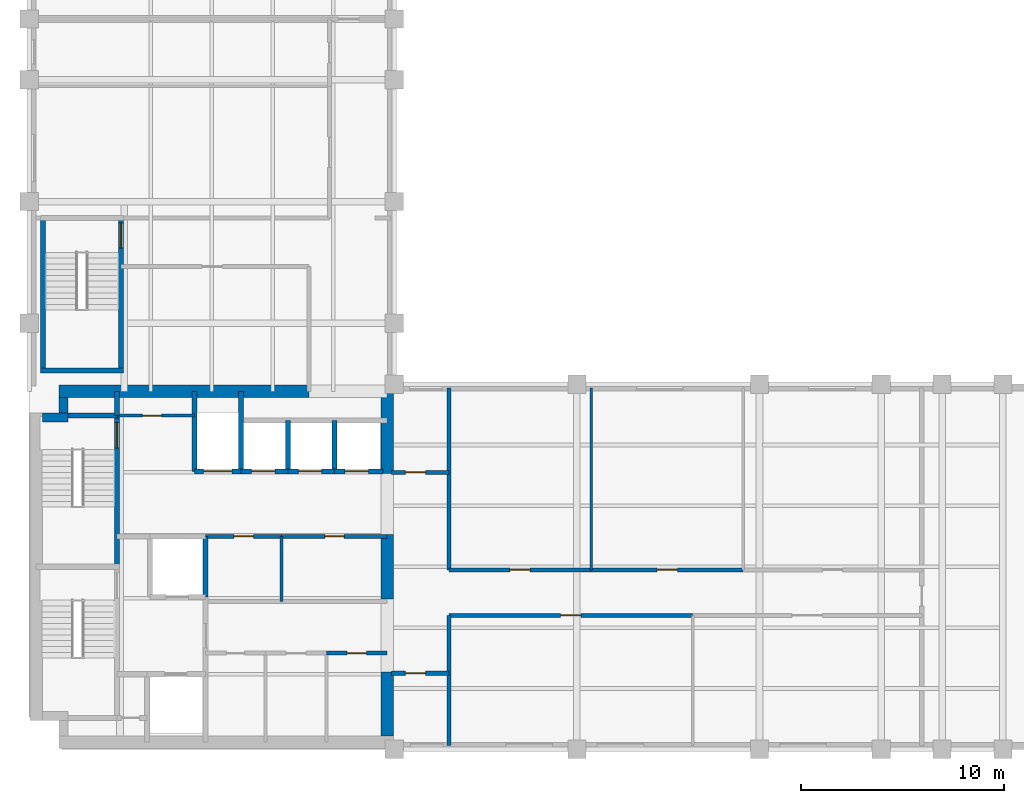
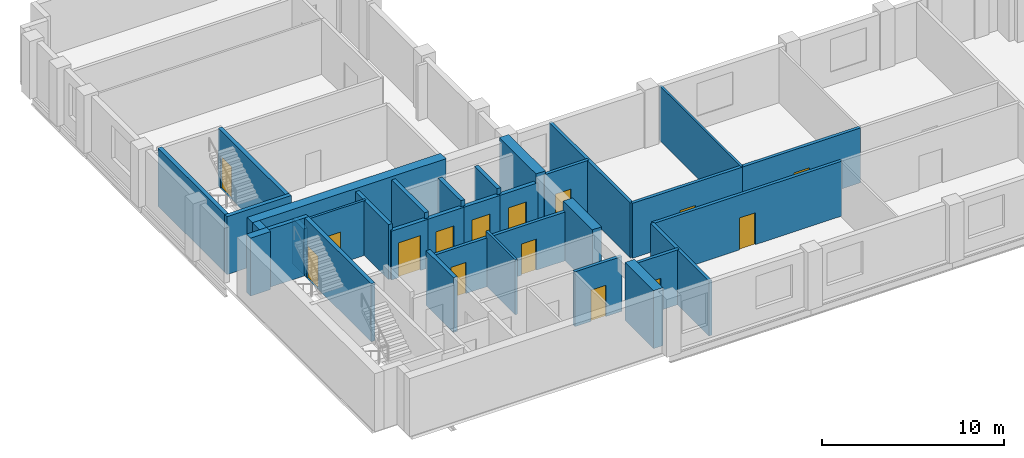
# One storey, part 3 of 6: 34 walls, 15 doors, 15 openings.
"""IFC4 building model written with IfcOpenShell, lengths in metres."""

from ifc_helpers import new_model, si_unit, direction, frame, frame_2d, origin, place, context, subcontext, project, spatial, rectangle, extrude, material, layer, layer_set, type_object, element, fill, save


model = new_model("IFC4")

# Units and contexts
model_context = context("Model", 3, precision=1e-05, world=origin(), true_north=direction((0.0, 1.0)))
body_context = subcontext(model_context, "Body", "Model", "MODEL_VIEW")
ifc_project = project(units=[si_unit("LENGTHUNIT", "METRE"), si_unit("AREAUNIT", "SQUARE_METRE"), si_unit("VOLUMEUNIT", "CUBIC_METRE"), si_unit("PLANEANGLEUNIT", "RADIAN"), si_unit("MASSUNIT", "GRAM", prefix="KILO")], contexts=[model_context])

# Site, building, storey
site_placement = place(None, origin())
site = spatial("IfcSite", under=ifc_project, at=site_placement, CompositionType="ELEMENT")
building_placement = place(site_placement, origin())
building = spatial("IfcBuilding", under=site, at=building_placement, Name="Mawjdan Bourse Tower", CompositionType="ELEMENT")
storey_placement = place(building_placement, frame((0.0, 0.0, 176.10009765625)))
storey = spatial("IfcBuildingStorey", under=building, at=storey_placement, Name="L42", CompositionType="ELEMENT", Elevation=176.10009765625)

# Wall, opening, door
ifc_material_1 = material(Name="Gypsum Fireboard Assembly")
ifc_layer_1 = layer(ifc_material_1, 0.199951171875)
ifc_layer_set_1 = layer_set([ifc_layer_1], Name="Gypsum Fireboard Assembly")
wall_type_1 = type_object("IfcWallType", Name="WL-CMP-200", PredefinedType="PARTITIONING", material=ifc_layer_set_1)
wall_1_placement = place(storey_placement, frame((20.64990234375, 7.739990234375, 0.0), z_axis=(0.0, 0.0, 1.0), x_axis=(1.0, 0.0, 0.0)))
wall_1 = element("IfcWall", 1, at=wall_1_placement, inside=storey, type_object=wall_type_1, Name="L42 Staff Refreshment Pantry North Wall", PredefinedType="PARTITIONING", context=body_context, shape_type="SweptSolid", body=[
    extrude(rectangle(XDim=3.0, YDim=0.199951171875, at=frame_2d((1.5, 0.0))), origin(), (0.0, 0.0, 1.0), 3.68994140625),
])
opening_1_placement = place(wall_1_placement, frame((1.02490234375, 0.0, 0.0)))
opening_1 = element("IfcOpeningElement", 2, at=opening_1_placement, cuts=wall_1, Name="Opening D-L42-15", PredefinedType="OPENING", context=body_context, shape_type="SweptSolid", body=[
    extrude(rectangle(XDim=0.949951171875, YDim=2.10009765625, at=frame_2d((0.47509765625, 1.050048828125))), frame((0.0, 0.10986328125, 0.0), z_axis=(0.0, -1.0, 0.0), x_axis=(1.0, 0.0, 0.0)), (0.0, 0.0, 1.0), 0.219970703125),
])
ifc_material_2 = material(Name="Moisture-Resistant Laminate Timber", Category="wood")
door_type_1 = type_object("IfcDoorType", Name="DR-WET-0950", OperationType="NOTDEFINED", PredefinedType="DOOR", material=ifc_material_2)
door_1_placement = place(opening_1_placement, origin())
door_1 = element("IfcDoor", 3, at=door_1_placement, inside=storey, type_object=door_type_1, Name="L42 Staff Refreshment Pantry Door D-L42-15", OperationType="SINGLE_SWING_LEFT", OverallHeight=2.10009765625, OverallWidth=0.949951171875, PredefinedType="DOOR", context=body_context, shape_type="SweptSolid", body=[
    extrude(rectangle(XDim=0.949951171875, YDim=2.10009765625, at=frame_2d((0.47509765625, 1.050048828125))), frame((0.0, 0.02490234375, 0.0), z_axis=(0.0, -1.0, 0.0), x_axis=(1.0, 0.0, 0.0)), (0.0, 0.0, 1.0), 0.050048828125),
])
fill(opening_1, door_1)

wall_2_placement = place(storey_placement, frame((14.699951171875, 13.5, 0.0), z_axis=(0.0, 0.0, 1.0), x_axis=(1.0, 0.0, 0.0)))
wall_2 = element("IfcWall", 4, at=wall_2_placement, inside=storey, type_object=wall_type_1, Name="L42 Female Restroom North Wall", PredefinedType="PARTITIONING", context=body_context, shape_type="SweptSolid", body=[
    extrude(rectangle(XDim=3.75, YDim=0.199951171875, at=frame_2d((1.875, 0.0))), origin(), (0.0, 0.0, 1.0), 3.282958984375),
])
opening_2_placement = place(wall_2_placement, frame((1.39990234375, 0.0, 0.0)))
opening_2 = element("IfcOpeningElement", 5, at=opening_2_placement, cuts=wall_2, Name="Opening D-L42-16", PredefinedType="OPENING", context=body_context, shape_type="SweptSolid", body=[
    extrude(rectangle(XDim=0.949951171875, YDim=2.10009765625, at=frame_2d((0.47509765625, 1.050048828125))), frame((0.0, 0.10986328125, 0.0), z_axis=(0.0, -1.0, 0.0), x_axis=(1.0, 0.0, 0.0)), (0.0, 0.0, 1.0), 0.219970703125),
])
door_2_placement = place(opening_2_placement, origin())
door_2 = element("IfcDoor", 6, at=door_2_placement, inside=storey, type_object=door_type_1, Name="L42 Female Restroom Door D-L42-16", OperationType="SINGLE_SWING_RIGHT", OverallHeight=2.10009765625, OverallWidth=0.949951171875, PredefinedType="DOOR", context=body_context, shape_type="SweptSolid", body=[
    extrude(rectangle(XDim=0.949951171875, YDim=2.10009765625, at=frame_2d((0.47509765625, 1.050048828125))), frame((0.0, 0.02490234375, 0.0), z_axis=(0.0, -1.0, 0.0), x_axis=(1.0, 0.0, 0.0)), (0.0, 0.0, 1.0), 0.050048828125),
])
fill(opening_2, door_2)

wall_3_placement = place(storey_placement, frame((18.449951171875, 13.5, 0.0), z_axis=(0.0, 0.0, 1.0), x_axis=(1.0, 0.0, 0.0)))
wall_3 = element("IfcWall", 7, at=wall_3_placement, inside=storey, type_object=wall_type_1, Name="L42 Accessible WC North Wall", PredefinedType="PARTITIONING", context=body_context, shape_type="SweptSolid", body=[
    extrude(rectangle(XDim=5.199951171875, YDim=0.199951171875, at=frame_2d((2.60009765625, 0.0))), origin(), (0.0, 0.0, 1.0), 3.282958984375),
])
opening_3_placement = place(wall_3_placement, frame((2.125, 0.0, 0.0)))
opening_3 = element("IfcOpeningElement", 8, at=opening_3_placement, cuts=wall_3, Name="Opening D-L42-17", PredefinedType="OPENING", context=body_context, shape_type="SweptSolid", body=[
    extrude(rectangle(XDim=0.949951171875, YDim=2.10009765625, at=frame_2d((0.47509765625, 1.050048828125))), frame((0.0, 0.10986328125, 0.0), z_axis=(0.0, -1.0, 0.0), x_axis=(1.0, 0.0, 0.0)), (0.0, 0.0, 1.0), 0.219970703125),
])
door_3_placement = place(opening_3_placement, origin())
door_3 = element("IfcDoor", 9, at=door_3_placement, inside=storey, type_object=door_type_1, Name="L42 Accessible WC Door D-L42-17", OperationType="SINGLE_SWING_LEFT", OverallHeight=2.10009765625, OverallWidth=0.949951171875, PredefinedType="DOOR", context=body_context, shape_type="SweptSolid", body=[
    extrude(rectangle(XDim=0.949951171875, YDim=2.10009765625, at=frame_2d((0.47509765625, 1.050048828125))), frame((0.0, 0.02490234375, 0.0), z_axis=(0.0, -1.0, 0.0), x_axis=(1.0, 0.0, 0.0)), (0.0, 0.0, 1.0), 0.050048828125),
])
fill(opening_3, door_3)

wall_4_placement = place(storey_placement, frame((23.85009765625, 6.75, 0.0), z_axis=(0.0, 0.0, 1.0), x_axis=(1.0, 0.0, 0.0)))
wall_4 = element("IfcWall", 10, at=wall_4_placement, inside=storey, type_object=wall_type_1, Name="L42 West Pocket North Wall", PredefinedType="PARTITIONING", context=body_context, shape_type="SweptSolid", body=[
    extrude(rectangle(XDim=2.849853515625, YDim=0.199951171875, at=frame_2d((1.4248046875, 0.0))), origin(), (0.0, 0.0, 1.0), 3.68994140625),
])
opening_4_placement = place(wall_4_placement, frame((0.699951171875, 0.0, 0.0)))
opening_4 = element("IfcOpeningElement", 11, at=opening_4_placement, cuts=wall_4, Name="Opening D-L42-20", PredefinedType="OPENING", context=body_context, shape_type="SweptSolid", body=[
    extrude(rectangle(XDim=1.0, YDim=2.14990234375, at=frame_2d((0.5, 1.074951171875))), frame((0.0, 0.10986328125, 0.0), z_axis=(0.0, -1.0, 0.0), x_axis=(1.0, 0.0, 0.0)), (0.0, 0.0, 1.0), 0.219970703125),
])
ifc_material_3 = material(Name="Hardwood Acoustic Leaf", Category="wood")
door_type_2 = type_object("IfcDoorType", Name="DR-OFC-1000", OperationType="NOTDEFINED", PredefinedType="DOOR", material=ifc_material_3)
door_4_placement = place(opening_4_placement, origin())
door_4 = element("IfcDoor", 12, at=door_4_placement, inside=storey, type_object=door_type_2, Name="L42 West Pocket Office Door D-L42-20", OperationType="SINGLE_SWING_RIGHT", OverallHeight=2.14990234375, OverallWidth=1.0, PredefinedType="DOOR", context=body_context, shape_type="SweptSolid", body=[
    extrude(rectangle(XDim=1.0, YDim=2.14990234375, at=frame_2d((0.5, 1.074951171875))), frame((0.0, 0.02490234375, 0.0), z_axis=(0.0, -1.0, 0.0), x_axis=(1.0, 0.0, 0.0)), (0.0, 0.0, 1.0), 0.050048828125),
])
fill(opening_4, door_4)

wall_5_placement = place(storey_placement, frame((23.85009765625, 16.64990234375, 0.0), z_axis=(0.0, 0.0, 1.0), x_axis=(1.0, 0.0, 0.0)))
wall_5 = element("IfcWall", 13, at=wall_5_placement, inside=storey, type_object=wall_type_1, Name="L42 West North Pocket Wall", PredefinedType="PARTITIONING", context=body_context, shape_type="SweptSolid", body=[
    extrude(rectangle(XDim=2.849853515625, YDim=0.199951171875, at=frame_2d((1.4248046875, 0.0))), origin(), (0.0, 0.0, 1.0), 3.68994140625),
])
opening_5_placement = place(wall_5_placement, frame((0.699951171875, 0.0, 0.0)))
opening_5 = element("IfcOpeningElement", 14, at=opening_5_placement, cuts=wall_5, Name="Opening D-L42-21", PredefinedType="OPENING", context=body_context, shape_type="SweptSolid", body=[
    extrude(rectangle(XDim=1.0, YDim=2.14990234375, at=frame_2d((0.5, 1.074951171875))), frame((0.0, 0.10986328125, 0.0), z_axis=(0.0, -1.0, 0.0), x_axis=(1.0, 0.0, 0.0)), (0.0, 0.0, 1.0), 0.219970703125),
])
door_5_placement = place(opening_5_placement, origin())
door_5 = element("IfcDoor", 15, at=door_5_placement, inside=storey, type_object=door_type_2, Name="L42 West North Pocket Door D-L42-21", OperationType="SINGLE_SWING_LEFT", OverallHeight=2.14990234375, OverallWidth=1.0, PredefinedType="DOOR", context=body_context, shape_type="SweptSolid", body=[
    extrude(rectangle(XDim=1.0, YDim=2.14990234375, at=frame_2d((0.5, 1.074951171875))), frame((0.0, 0.02490234375, 0.0), z_axis=(0.0, -1.0, 0.0), x_axis=(1.0, 0.0, 0.0)), (0.0, 0.0, 1.0), 0.050048828125),
])
fill(opening_5, door_5)

# Walls
wall_6_placement = place(storey_placement, frame((26.699951171875, 3.179931640625, 0.0), z_axis=(0.0, 0.0, 1.0), x_axis=(0.0, 1.0, 0.0)))
element("IfcWall", 16, at=wall_6_placement, inside=storey, type_object=wall_type_1, Name="L42 Vestibule South East Wall", PredefinedType="PARTITIONING", context=body_context, shape_type="SweptSolid", body=[
    extrude(rectangle(XDim=6.420166015625, YDim=0.199951171875, at=frame_2d((3.2099609375, 0.0))), origin(), (0.0, 0.0, 1.0), 3.68994140625),
])
wall_7_placement = place(storey_placement, frame((26.699951171875, 11.85009765625, 0.0), z_axis=(0.0, 0.0, 1.0), x_axis=(0.0, 1.0, 0.0)))
element("IfcWall", 17, at=wall_7_placement, inside=storey, type_object=wall_type_1, Name="L42 Vestibule North East Wall", PredefinedType="PARTITIONING", context=body_context, shape_type="SweptSolid", body=[
    extrude(rectangle(XDim=8.969970703125, YDim=0.199951171875, at=frame_2d((4.48486328125, 0.0))), origin(), (0.0, 0.0, 1.0), 3.68994140625),
])

# Wall, opening, door
wall_8_placement = place(storey_placement, frame((26.699951171875, 9.60009765625, 0.0), z_axis=(0.0, 0.0, 1.0), x_axis=(1.0, 0.0, 0.0)))
wall_8 = element("IfcWall", 18, at=wall_8_placement, inside=storey, type_object=wall_type_1, Name="L42 Central Clearing Suite Corridor Wall", PredefinedType="PARTITIONING", context=body_context, shape_type="SweptSolid", body=[
    extrude(rectangle(XDim=12.0, YDim=0.199951171875, at=frame_2d((6.0, 0.0))), origin(), (0.0, 0.0, 1.0), 3.68994140625),
])
opening_6_placement = place(wall_8_placement, frame((5.5, 0.0, 0.0)))
opening_6 = element("IfcOpeningElement", 19, at=opening_6_placement, cuts=wall_8, Name="Opening D-L42-22", PredefinedType="OPENING", context=body_context, shape_type="SweptSolid", body=[
    extrude(rectangle(XDim=1.0, YDim=2.14990234375, at=frame_2d((0.5, 1.074951171875))), frame((0.0, 0.10986328125, 0.0), z_axis=(0.0, -1.0, 0.0), x_axis=(1.0, 0.0, 0.0)), (0.0, 0.0, 1.0), 0.219970703125),
])
door_6_placement = place(opening_6_placement, origin())
door_6 = element("IfcDoor", 20, at=door_6_placement, inside=storey, type_object=door_type_2, Name="L42 Central Clearing Suite Door D-L42-22", OperationType="SINGLE_SWING_RIGHT", OverallHeight=2.14990234375, OverallWidth=1.0, PredefinedType="DOOR", context=body_context, shape_type="SweptSolid", body=[
    extrude(rectangle(XDim=1.0, YDim=2.14990234375, at=frame_2d((0.5, 1.074951171875))), frame((0.0, 0.02490234375, 0.0), z_axis=(0.0, -1.0, 0.0), x_axis=(1.0, 0.0, 0.0)), (0.0, 0.0, 1.0), 0.050048828125),
])
fill(opening_6, door_6)

wall_9_placement = place(storey_placement, frame((26.699951171875, 11.85009765625, 0.0), z_axis=(0.0, 0.0, 1.0), x_axis=(1.0, 0.0, 0.0)))
wall_9 = element("IfcWall", 21, at=wall_9_placement, inside=storey, type_object=wall_type_1, Name="L42 Executive Office Corridor Wall", PredefinedType="PARTITIONING", context=body_context, shape_type="SweptSolid", body=[
    extrude(rectangle(XDim=7.0, YDim=0.199951171875, at=frame_2d((3.5, 0.0))), origin(), (0.0, 0.0, 1.0), 3.68994140625),
])
opening_7_placement = place(wall_9_placement, frame((3.0, 0.0, 0.0)))
opening_7 = element("IfcOpeningElement", 22, at=opening_7_placement, cuts=wall_9, Name="Opening D-L42-24", PredefinedType="OPENING", context=body_context, shape_type="SweptSolid", body=[
    extrude(rectangle(XDim=1.0, YDim=2.14990234375, at=frame_2d((0.5, 1.074951171875))), frame((0.0, 0.10986328125, 0.0), z_axis=(0.0, -1.0, 0.0), x_axis=(1.0, 0.0, 0.0)), (0.0, 0.0, 1.0), 0.219970703125),
])
door_7_placement = place(opening_7_placement, origin())
door_7 = element("IfcDoor", 23, at=door_7_placement, inside=storey, type_object=door_type_2, Name="L42 Executive Office Door D-L42-24", OperationType="SINGLE_SWING_LEFT", OverallHeight=2.14990234375, OverallWidth=1.0, PredefinedType="DOOR", context=body_context, shape_type="SweptSolid", body=[
    extrude(rectangle(XDim=1.0, YDim=2.14990234375, at=frame_2d((0.5, 1.074951171875))), frame((0.0, 0.02490234375, 0.0), z_axis=(0.0, -1.0, 0.0), x_axis=(1.0, 0.0, 0.0)), (0.0, 0.0, 1.0), 0.050048828125),
])
fill(opening_7, door_7)

wall_10_placement = place(storey_placement, frame((33.699951171875, 11.85009765625, 0.0), z_axis=(0.0, 0.0, 1.0), x_axis=(1.0, 0.0, 0.0)))
wall_10 = element("IfcWall", 24, at=wall_10_placement, inside=storey, type_object=wall_type_1, Name="L42 Settlement Risk Office Corridor Wall", PredefinedType="PARTITIONING", context=body_context, shape_type="SweptSolid", body=[
    extrude(rectangle(XDim=7.5, YDim=0.199951171875, at=frame_2d((3.75, 0.0))), origin(), (0.0, 0.0, 1.0), 3.68994140625),
])
opening_8_placement = place(wall_10_placement, frame((3.25, 0.0, 0.0)))
opening_8 = element("IfcOpeningElement", 25, at=opening_8_placement, cuts=wall_10, Name="Opening D-L42-25", PredefinedType="OPENING", context=body_context, shape_type="SweptSolid", body=[
    extrude(rectangle(XDim=1.0, YDim=2.14990234375, at=frame_2d((0.5, 1.074951171875))), frame((0.0, 0.10986328125, 0.0), z_axis=(0.0, -1.0, 0.0), x_axis=(1.0, 0.0, 0.0)), (0.0, 0.0, 1.0), 0.219970703125),
])
door_8_placement = place(opening_8_placement, origin())
door_8 = element("IfcDoor", 26, at=door_8_placement, inside=storey, type_object=door_type_2, Name="L42 Settlement Risk Office Door D-L42-25", OperationType="SINGLE_SWING_RIGHT", OverallHeight=2.14990234375, OverallWidth=1.0, PredefinedType="DOOR", context=body_context, shape_type="SweptSolid", body=[
    extrude(rectangle(XDim=1.0, YDim=2.14990234375, at=frame_2d((0.5, 1.074951171875))), frame((0.0, 0.02490234375, 0.0), z_axis=(0.0, -1.0, 0.0), x_axis=(1.0, 0.0, 0.0)), (0.0, 0.0, 1.0), 0.050048828125),
])
fill(opening_8, door_8)

# Walls
ifc_material_4 = material(Name="Concrete C60/75", Category="concrete")
ifc_layer_2 = layer(ifc_material_4, 0.449951171875)
ifc_layer_set_2 = layer_set([ifc_layer_2], Name="Concrete C60/75")
wall_type_2 = type_object("IfcWallType", Name="WL-CORE-450", PredefinedType="SHEAR", material=ifc_layer_set_2)
wall_11_placement = place(storey_placement, frame((6.64990234375, 19.35009765625, 0.0), z_axis=(0.0, 0.0, 1.0), x_axis=(1.0, 0.0, 0.0)))
element("IfcWall", 27, at=wall_11_placement, inside=storey, type_object=wall_type_2, Name="L42 Rear Core Shear Wall NW-X", PredefinedType="SHEAR", context=body_context, shape_type="SweptSolid", body=[
    extrude(rectangle(XDim=1.275146484375, YDim=0.449951171875, at=frame_2d((0.6376953125, 0.0))), origin(), (0.0, 0.0, 1.0), 3.89990234375),
])
wall_12_placement = place(storey_placement, frame((7.699951171875, 19.574951171875, 0.0), z_axis=(0.0, 0.0, 1.0), x_axis=(0.0, 1.0, 0.0)))
element("IfcWall", 28, at=wall_12_placement, inside=storey, type_object=wall_type_2, Name="L42 Rear Core Shear Wall NW-Y", PredefinedType="SHEAR", context=body_context, shape_type="SweptSolid", body=[
    extrude(rectangle(XDim=0.775146484375, YDim=0.449951171875, at=frame_2d((0.3876953125, 0.0))), origin(), (0.0, 0.0, 1.0), 3.89990234375),
])
ifc_material_5 = material(Name="Concrete C70/85", Category="concrete")
ifc_layer_3 = layer(ifc_material_5, 0.60009765625)
ifc_layer_set_3 = layer_set([ifc_layer_3], Name="Concrete C70/85")
wall_type_3 = type_object("IfcWallType", Name="WL-CORE-600", PredefinedType="SHEAR", material=ifc_layer_set_3)
wall_13_placement = place(storey_placement, frame((7.47509765625, 20.64990234375, 0.0), z_axis=(0.0, 0.0, 1.0), x_axis=(1.0, 0.0, 0.0)))
element("IfcWall", 29, at=wall_13_placement, inside=storey, type_object=wall_type_3, Name="L42 Rear Core Shear Wall N", PredefinedType="SHEAR", context=body_context, shape_type="SweptSolid", body=[
    extrude(rectangle(XDim=12.324951171875, YDim=0.60009765625, at=frame_2d((6.16259765625, 0.0))), origin(), (0.0, 0.0, 1.0), 3.89990234375),
])
wall_14_placement = place(storey_placement, frame((23.64990234375, 3.64990234375, 0.0), z_axis=(0.0, 0.0, 1.0), x_axis=(0.0, 1.0, 0.0)))
element("IfcWall", 30, at=wall_14_placement, inside=storey, type_object=wall_type_3, Name="L42 Rear Core Shear Wall E1", PredefinedType="SHEAR", context=body_context, shape_type="SweptSolid", body=[
    extrude(rectangle(XDim=3.150146484375, YDim=0.60009765625, at=frame_2d((1.5751953125, 0.0))), origin(), (0.0, 0.0, 1.0), 3.89990234375),
])
wall_15_placement = place(storey_placement, frame((23.64990234375, 10.39990234375, 0.0), z_axis=(0.0, 0.0, 1.0), x_axis=(0.0, 1.0, 0.0)))
element("IfcWall", 31, at=wall_15_placement, inside=storey, type_object=wall_type_3, Name="L42 Rear Core Shear Wall E2", PredefinedType="SHEAR", context=body_context, shape_type="SweptSolid", body=[
    extrude(rectangle(XDim=3.2001953125, YDim=0.60009765625, at=frame_2d((1.60009765625, 0.0))), origin(), (0.0, 0.0, 1.0), 3.89990234375),
])
wall_16_placement = place(storey_placement, frame((23.64990234375, 16.60009765625, 0.0), z_axis=(0.0, 0.0, 1.0), x_axis=(0.0, 1.0, 0.0)))
element("IfcWall", 32, at=wall_16_placement, inside=storey, type_object=wall_type_3, Name="L42 Rear Core Shear Wall E3", PredefinedType="SHEAR", context=body_context, shape_type="SweptSolid", body=[
    extrude(rectangle(XDim=4.0498046875, YDim=0.60009765625, at=frame_2d((2.02490234375, 0.0))), origin(), (0.0, 0.0, 1.0), 3.89990234375),
])
ifc_material_6 = material(Name="Gypsum Partition")
ifc_layer_4 = layer(ifc_material_6, 0.125)
ifc_layer_set_4 = layer_set([ifc_layer_4], Name="Gypsum Partition")
wall_type_4 = type_object("IfcWallType", Name="WL-PRT-125", PredefinedType="PARTITIONING", material=ifc_layer_set_4)
wall_17_placement = place(storey_placement, frame((33.699951171875, 11.85009765625, 0.0), z_axis=(0.0, 0.0, 1.0), x_axis=(0.0, 1.0, 0.0)))
element("IfcWall", 33, at=wall_17_placement, inside=storey, type_object=wall_type_4, Name="L42 Settlement Risk Office Partition", PredefinedType="PARTITIONING", context=body_context, shape_type="SweptSolid", body=[
    extrude(rectangle(XDim=8.969970703125, YDim=0.125, at=frame_2d((4.48486328125, 0.0))), origin(), (0.0, 0.0, 1.0), 3.68994140625),
])
ifc_material_7 = material(Name="Gypsum Acoustic Partition")
ifc_layer_5 = layer(ifc_material_7, 0.14990234375)
ifc_layer_set_5 = layer_set([ifc_layer_5], Name="Gypsum Acoustic Partition")
wall_type_5 = type_object("IfcWallType", Name="WL-PRT-150", PredefinedType="PARTITIONING", material=ifc_layer_set_5)
wall_18_placement = place(storey_placement, frame((18.449951171875, 10.280029296875, 0.0), z_axis=(0.0, 0.0, 1.0), x_axis=(0.0, 1.0, 0.0)))
element("IfcWall", 34, at=wall_18_placement, inside=storey, type_object=wall_type_5, Name="L42 Accessible WC Split Wall", PredefinedType="PARTITIONING", context=body_context, shape_type="SweptSolid", body=[
    extrude(rectangle(XDim=3.219970703125, YDim=0.14990234375, at=frame_2d((1.60986328125, 0.0))), origin(), (0.0, 0.0, 1.0), 3.68994140625),
])

# Wall, opening, door
wall_19_placement = place(storey_placement, frame((10.330078125, 19.449951171875, 0.0), z_axis=(0.0, 0.0, 1.0), x_axis=(1.0, 0.0, 0.0)))
wall_19 = element("IfcWall", 35, at=wall_19_placement, inside=storey, type_object=wall_type_5, Name="L42 Housekeeping South Wall", PredefinedType="PARTITIONING", context=body_context, shape_type="SweptSolid", body=[
    extrude(rectangle(XDim=3.81982421875, YDim=0.14990234375, at=frame_2d((1.909912109375, 0.0))), origin(), (0.0, 0.0, 1.0), 3.68994140625),
])
opening_9_placement = place(wall_19_placement, frame((1.25, 0.0, 0.0)))
opening_9 = element("IfcOpeningElement", 36, at=opening_9_placement, cuts=wall_19, Name="Opening D-L42-18", PredefinedType="OPENING", context=body_context, shape_type="SweptSolid", body=[
    extrude(rectangle(XDim=0.949951171875, YDim=2.10009765625, at=frame_2d((0.47509765625, 1.050048828125))), frame((0.0, 0.0849609375, 0.0), z_axis=(0.0, -1.0, 0.0), x_axis=(1.0, 0.0, 0.0)), (0.0, 0.0, 1.0), 0.169921875),
])
door_9_placement = place(opening_9_placement, origin())
door_9 = element("IfcDoor", 37, at=door_9_placement, inside=storey, type_object=door_type_1, Name="L42 Housekeeping Closet Door D-L42-18", OperationType="SINGLE_SWING_RIGHT", OverallHeight=2.10009765625, OverallWidth=0.949951171875, PredefinedType="DOOR", context=body_context, shape_type="SweptSolid", body=[
    extrude(rectangle(XDim=0.949951171875, YDim=2.10009765625, at=frame_2d((0.47509765625, 1.050048828125))), frame((0.0, 0.02490234375, 0.0), z_axis=(0.0, -1.0, 0.0), x_axis=(1.0, 0.0, 0.0)), (0.0, 0.0, 1.0), 0.050048828125),
])
fill(opening_9, door_9)

# Walls
ifc_material_8 = material(Name="Concrete C50/60", Category="concrete")
ifc_layer_6 = layer(ifc_material_8, 0.25)
ifc_layer_set_6 = layer_set([ifc_layer_6], Name="Concrete C50/60")
wall_type_6 = type_object("IfcWallType", Name="WL-SHFT-250", PredefinedType="PARTITIONING", material=ifc_layer_set_6)
wall_20_placement = place(storey_placement, frame((10.330078125, 19.449951171875, 0.0), z_axis=(0.0, 0.0, 1.0), x_axis=(0.0, 1.0, 0.0)))
element("IfcWall", 38, at=wall_20_placement, inside=storey, type_object=wall_type_6, Name="L42 NW Riser East Wall", PredefinedType="PARTITIONING", context=body_context, shape_type="SweptSolid", body=[
    extrude(rectangle(XDim=1.199951171875, YDim=0.25, at=frame_2d((0.60009765625, 0.0))), origin(), (0.0, 0.0, 1.0), 3.072998046875),
])
wall_21_placement = place(storey_placement, frame((14.699951171875, 10.5, 0.0), z_axis=(0.0, 0.0, 1.0), x_axis=(0.0, 1.0, 0.0)))
element("IfcWall", 39, at=wall_21_placement, inside=storey, type_object=wall_type_6, Name="L42 FFL-02 East Shaft Wall", PredefinedType="PARTITIONING", context=body_context, shape_type="SweptSolid", body=[
    extrude(rectangle(XDim=3.0, YDim=0.25, at=frame_2d((1.5, 0.0))), origin(), (0.0, 0.0, 1.0), 3.68994140625),
])

# Wall, opening, door
wall_22_placement = place(storey_placement, frame((14.14990234375, 16.699951171875, 0.0), z_axis=(0.0, 0.0, 1.0), x_axis=(1.0, 0.0, 0.0)))
wall_22 = element("IfcWall", 40, at=wall_22_placement, inside=storey, type_object=wall_type_6, Name="L42 SVL-01 Front Shaft Wall", PredefinedType="PARTITIONING", context=body_context, shape_type="SweptSolid", body=[
    extrude(rectangle(XDim=2.300048828125, YDim=0.25, at=frame_2d((1.14990234375, 0.0))), origin(), (0.0, 0.0, 1.0), 3.282958984375),
])
opening_10_placement = place(wall_22_placement, frame((0.449951171875, 0.0, 0.0)))
opening_10 = element("IfcOpeningElement", 41, at=opening_10_placement, cuts=wall_22, Name="Opening LD-L42-09", PredefinedType="OPENING", context=body_context, shape_type="SweptSolid", body=[
    extrude(rectangle(XDim=1.39990234375, YDim=2.35009765625, at=frame_2d((0.699951171875, 1.175048828125))), frame((0.0, 0.135009765625, 0.0), z_axis=(0.0, -1.0, 0.0), x_axis=(1.0, 0.0, 0.0)), (0.0, 0.0, 1.0), 0.27001953125),
])
ifc_material_9 = material(Name="Heavy-Duty Stainless Steel", Category="steel")
door_type_3 = type_object("IfcDoorType", Name="LD-SRV-1400", OperationType="DOUBLE_DOOR_SLIDING", PredefinedType="DOOR", material=ifc_material_9)
door_10_placement = place(opening_10_placement, origin())
door_10 = element("IfcDoor", 42, at=door_10_placement, inside=storey, type_object=door_type_3, Name="L42 Service Lift SVL-01 Landing Door LD-L42-09", OperationType="DOUBLE_DOOR_SLIDING", OverallHeight=2.35009765625, OverallWidth=1.39990234375, PredefinedType="DOOR", context=body_context, shape_type="SweptSolid", body=[
    extrude(rectangle(XDim=1.39990234375, YDim=2.35009765625, at=frame_2d((0.699951171875, 1.175048828125))), frame((0.0, 0.02490234375, 0.0), z_axis=(0.0, -1.0, 0.0), x_axis=(1.0, 0.0, 0.0)), (0.0, 0.0, 1.0), 0.050048828125),
])
fill(opening_10, door_10)

# Walls
for number, where, z_axis, x_axis, name in (
    (43, (14.14990234375, 16.699951171875, 0.0), (0.0, 0.0, 1.0), (0.0, 1.0, 0.0), "L42 SVL-01 West Shaft Wall"),
    (44, (16.449951171875, 16.699951171875, 0.0), (0.0, 0.0, 1.0), (0.0, 1.0, 0.0), "L42 SVL-01 East Shaft Wall"),
):
    element("IfcWall", number, at=place(storey_placement, frame(where, z_axis=z_axis, x_axis=x_axis)), inside=storey, type_object=wall_type_6, Name=name, PredefinedType="PARTITIONING", context=body_context, shape_type="SweptSolid", body=[
        extrude(rectangle(XDim=3.949951171875, YDim=0.25, at=frame_2d((1.97509765625, 0.0))), origin(), (0.0, 0.0, 1.0), 3.68994140625),
    ])

# Wall, opening, door
wall_23_placement = place(storey_placement, frame((16.449951171875, 16.699951171875, 0.0), z_axis=(0.0, 0.0, 1.0), x_axis=(1.0, 0.0, 0.0)))
wall_23 = element("IfcWall", 45, at=wall_23_placement, inside=storey, type_object=wall_type_6, Name="L42 PH-01 Front Wall", PredefinedType="PARTITIONING", context=body_context, shape_type="SweptSolid", body=[
    extrude(rectangle(XDim=2.300048828125, YDim=0.25, at=frame_2d((1.14990234375, 0.0))), origin(), (0.0, 0.0, 1.0), 3.282958984375),
])
opening_11_placement = place(wall_23_placement, frame((0.52001953125, 0.0, 0.0)))
opening_11 = element("IfcOpeningElement", 46, at=opening_11_placement, cuts=wall_23, Name="Opening LD-L42-10", PredefinedType="OPENING", context=body_context, shape_type="SweptSolid", body=[
    extrude(rectangle(XDim=1.14990234375, YDim=2.25, at=frame_2d((0.574951171875, 1.125))), frame((0.0, 0.135009765625, 0.0), z_axis=(0.0, -1.0, 0.0), x_axis=(1.0, 0.0, 0.0)), (0.0, 0.0, 1.0), 0.27001953125),
])
ifc_material_10 = material(Name="Brushed Stainless Steel", Category="steel")
door_type_4 = type_object("IfcDoorType", Name="LD-PAS-1150", OperationType="DOUBLE_DOOR_SLIDING", PredefinedType="DOOR", material=ifc_material_10)
door_11_placement = place(opening_11_placement, origin())
door_11 = element("IfcDoor", 47, at=door_11_placement, inside=storey, type_object=door_type_4, Name="L42 Lift PH-01 Landing Door LD-L42-10", OperationType="DOUBLE_DOOR_SLIDING", OverallHeight=2.25, OverallWidth=1.14990234375, PredefinedType="DOOR", context=body_context, shape_type="SweptSolid", body=[
    extrude(rectangle(XDim=1.14990234375, YDim=2.25, at=frame_2d((0.574951171875, 1.125))), frame((0.0, 0.02490234375, 0.0), z_axis=(0.0, -1.0, 0.0), x_axis=(1.0, 0.0, 0.0)), (0.0, 0.0, 1.0), 0.050048828125),
])
fill(opening_11, door_11)

# Wall
wall_24_placement = place(storey_placement, frame((18.75, 16.699951171875, 0.0), z_axis=(0.0, 0.0, 1.0), x_axis=(0.0, 1.0, 0.0)))
element("IfcWall", 48, at=wall_24_placement, inside=storey, type_object=wall_type_6, Name="L42 PH-01 Divider Wall", PredefinedType="PARTITIONING", context=body_context, shape_type="SweptSolid", body=[
    extrude(rectangle(XDim=2.5, YDim=0.25, at=frame_2d((1.25, 0.0))), origin(), (0.0, 0.0, 1.0), 3.68994140625),
])

# Wall, opening, door
wall_25_placement = place(storey_placement, frame((18.75, 16.699951171875, 0.0), z_axis=(0.0, 0.0, 1.0), x_axis=(1.0, 0.0, 0.0)))
wall_25 = element("IfcWall", 49, at=wall_25_placement, inside=storey, type_object=wall_type_6, Name="L42 PH-02 Front Wall", PredefinedType="PARTITIONING", context=body_context, shape_type="SweptSolid", body=[
    extrude(rectangle(XDim=2.300048828125, YDim=0.25, at=frame_2d((1.14990234375, 0.0))), origin(), (0.0, 0.0, 1.0), 3.282958984375),
])
opening_12_placement = place(wall_25_placement, frame((0.52001953125, 0.0, 0.0)))
opening_12 = element("IfcOpeningElement", 50, at=opening_12_placement, cuts=wall_25, Name="Opening LD-L42-11", PredefinedType="OPENING", context=body_context, shape_type="SweptSolid", body=[
    extrude(rectangle(XDim=1.14990234375, YDim=2.25, at=frame_2d((0.574951171875, 1.125))), frame((0.0, 0.135009765625, 0.0), z_axis=(0.0, -1.0, 0.0), x_axis=(1.0, 0.0, 0.0)), (0.0, 0.0, 1.0), 0.27001953125),
])
door_12_placement = place(opening_12_placement, origin())
door_12 = element("IfcDoor", 51, at=door_12_placement, inside=storey, type_object=door_type_4, Name="L42 Lift PH-02 Landing Door LD-L42-11", OperationType="DOUBLE_DOOR_SLIDING", OverallHeight=2.25, OverallWidth=1.14990234375, PredefinedType="DOOR", context=body_context, shape_type="SweptSolid", body=[
    extrude(rectangle(XDim=1.14990234375, YDim=2.25, at=frame_2d((0.574951171875, 1.125))), frame((0.0, 0.02490234375, 0.0), z_axis=(0.0, -1.0, 0.0), x_axis=(1.0, 0.0, 0.0)), (0.0, 0.0, 1.0), 0.050048828125),
])
fill(opening_12, door_12)

# Wall
wall_26_placement = place(storey_placement, frame((21.050048828125, 16.699951171875, 0.0), z_axis=(0.0, 0.0, 1.0), x_axis=(0.0, 1.0, 0.0)))
element("IfcWall", 52, at=wall_26_placement, inside=storey, type_object=wall_type_6, Name="L42 PH-02 Divider Wall", PredefinedType="PARTITIONING", context=body_context, shape_type="SweptSolid", body=[
    extrude(rectangle(XDim=2.5, YDim=0.25, at=frame_2d((1.25, 0.0))), origin(), (0.0, 0.0, 1.0), 3.68994140625),
])

# Wall, opening, door
wall_27_placement = place(storey_placement, frame((21.050048828125, 16.699951171875, 0.0), z_axis=(0.0, 0.0, 1.0), x_axis=(1.0, 0.0, 0.0)))
wall_27 = element("IfcWall", 53, at=wall_27_placement, inside=storey, type_object=wall_type_6, Name="L42 PH-03 Front Wall", PredefinedType="PARTITIONING", context=body_context, shape_type="SweptSolid", body=[
    extrude(rectangle(XDim=2.39990234375, YDim=0.25, at=frame_2d((1.199951171875, 0.0))), origin(), (0.0, 0.0, 1.0), 3.282958984375),
])
opening_13_placement = place(wall_27_placement, frame((0.52001953125, 0.0, 0.0)))
opening_13 = element("IfcOpeningElement", 54, at=opening_13_placement, cuts=wall_27, Name="Opening LD-L42-12", PredefinedType="OPENING", context=body_context, shape_type="SweptSolid", body=[
    extrude(rectangle(XDim=1.14990234375, YDim=2.25, at=frame_2d((0.574951171875, 1.125))), frame((0.0, 0.135009765625, 0.0), z_axis=(0.0, -1.0, 0.0), x_axis=(1.0, 0.0, 0.0)), (0.0, 0.0, 1.0), 0.27001953125),
])
door_13_placement = place(opening_13_placement, origin())
door_13 = element("IfcDoor", 55, at=door_13_placement, inside=storey, type_object=door_type_4, Name="L42 Lift PH-03 Landing Door LD-L42-12", OperationType="DOUBLE_DOOR_SLIDING", OverallHeight=2.25, OverallWidth=1.14990234375, PredefinedType="DOOR", context=body_context, shape_type="SweptSolid", body=[
    extrude(rectangle(XDim=1.14990234375, YDim=2.25, at=frame_2d((0.574951171875, 1.125))), frame((0.0, 0.02490234375, 0.0), z_axis=(0.0, -1.0, 0.0), x_axis=(1.0, 0.0, 0.0)), (0.0, 0.0, 1.0), 0.050048828125),
])
fill(opening_13, door_13)

# Wall
ifc_layer_7 = layer(ifc_material_8, 0.25)
ifc_layer_set_7 = layer_set([ifc_layer_7], Name="Concrete C50/60")
wall_type_7 = type_object("IfcWallType", Name="WL-STRW-250", PredefinedType="SHEAR", material=ifc_layer_set_7)
wall_28_placement = place(storey_placement, frame((7.699951171875, 19.449951171875, 0.0), z_axis=(0.0, 0.0, 1.0), x_axis=(1.0, 0.0, 0.0)))
element("IfcWall", 56, at=wall_28_placement, inside=storey, type_object=wall_type_7, Name="L42 Stairwell ST2 North Shaft Wall", PredefinedType="SHEAR", context=body_context, shape_type="SweptSolid", body=[
    extrude(rectangle(XDim=2.755126953125, YDim=0.25, at=frame_2d((1.37744140625, 0.0))), origin(), (0.0, 0.0, 1.0), 3.89990234375),
])

# Wall, opening, door
wall_29_placement = place(storey_placement, frame((10.330078125, 12.0, 0.0), z_axis=(0.0, 0.0, 1.0), x_axis=(0.0, 1.0, 0.0)))
wall_29 = element("IfcWall", 57, at=wall_29_placement, inside=storey, type_object=wall_type_7, Name="L42 Stairwell ST2 East Enclosure Wall", PredefinedType="SHEAR", context=body_context, shape_type="SweptSolid", body=[
    extrude(rectangle(XDim=7.449951171875, YDim=0.25, at=frame_2d((3.72509765625, 0.0))), origin(), (0.0, 0.0, 1.0), 3.89990234375),
])
opening_14_placement = place(wall_29_placement, frame((5.85009765625, 0.0, 0.0)))
opening_14 = element("IfcOpeningElement", 58, at=opening_14_placement, cuts=wall_29, Name="Opening SD-L42-02", PredefinedType="OPENING", context=body_context, shape_type="SweptSolid", body=[
    extrude(rectangle(XDim=1.25, YDim=2.199951171875, at=frame_2d((0.625, 1.10009765625))), frame((0.0, 0.135009765625, 0.0), z_axis=(0.0, -1.0, 0.0), x_axis=(1.0, 0.0, 0.0)), (0.0, 0.0, 1.0), 0.27001953125),
])
ifc_material_11 = material(Name="Fire-Rated Steel Leaf", Category="steel")
door_type_5 = type_object("IfcDoorType", Name="FD-ST-1250", OperationType="NOTDEFINED", PredefinedType="DOOR", material=ifc_material_11)
door_14_placement = place(opening_14_placement, origin())
door_14 = element("IfcDoor", 59, at=door_14_placement, inside=storey, type_object=door_type_5, Name="L42 Exit Stair ST2 Fire Door SD-L42-02", OperationType="SINGLE_SWING_RIGHT", OverallHeight=2.199951171875, OverallWidth=1.25, PredefinedType="DOOR", context=body_context, shape_type="SweptSolid", body=[
    extrude(rectangle(XDim=1.25, YDim=2.199951171875, at=frame_2d((0.625, 1.10009765625))), frame((0.0, 0.02490234375, 0.0), z_axis=(0.0, -1.0, 0.0), x_axis=(1.0, 0.0, 0.0)), (0.0, 0.0, 1.0), 0.050048828125),
])
fill(opening_14, door_14)

# Walls
wall_30_placement = place(storey_placement, frame((6.554931640625, 21.679931640625, 0.0), z_axis=(0.0, 0.0, 1.0), x_axis=(1.0, 0.0, 0.0)))
element("IfcWall", 60, at=wall_30_placement, inside=storey, type_object=wall_type_7, Name="L42 ST3 South Shaft Wall", PredefinedType="SHEAR", context=body_context, shape_type="SweptSolid", body=[
    extrude(rectangle(XDim=4.090087890625, YDim=0.25, at=frame_2d((2.044921875, 0.0))), origin(), (0.0, 0.0, 1.0), 3.89990234375),
])
wall_31_placement = place(storey_placement, frame((6.679931640625, 21.679931640625, 0.0), z_axis=(0.0, 0.0, 1.0), x_axis=(0.0, 1.0, 0.0)))
element("IfcWall", 61, at=wall_31_placement, inside=storey, type_object=wall_type_7, Name="L42 ST3 West Shaft Wall", PredefinedType="SHEAR", context=body_context, shape_type="SweptSolid", body=[
    extrude(rectangle(XDim=7.5, YDim=0.25, at=frame_2d((3.75, 0.0))), origin(), (0.0, 0.0, 1.0), 3.89990234375),
])

# Wall, opening, door
wall_32_placement = place(storey_placement, frame((10.52001953125, 21.679931640625, 0.0), z_axis=(0.0, 0.0, 1.0), x_axis=(0.0, 1.0, 0.0)))
wall_32 = element("IfcWall", 62, at=wall_32_placement, inside=storey, type_object=wall_type_7, Name="L42 ST3 East Shaft Wall", PredefinedType="SHEAR", context=body_context, shape_type="SweptSolid", body=[
    extrude(rectangle(XDim=7.5, YDim=0.25, at=frame_2d((3.75, 0.0))), origin(), (0.0, 0.0, 1.0), 3.89990234375),
])
opening_15_placement = place(wall_32_placement, frame((6.02001953125, 0.0, 0.0)))
opening_15 = element("IfcOpeningElement", 63, at=opening_15_placement, cuts=wall_32, Name="Opening SD-L42-19", PredefinedType="OPENING", context=body_context, shape_type="SweptSolid", body=[
    extrude(rectangle(XDim=1.25, YDim=2.199951171875, at=frame_2d((0.625, 1.10009765625))), frame((0.0, 0.135009765625, 0.0), z_axis=(0.0, -1.0, 0.0), x_axis=(1.0, 0.0, 0.0)), (0.0, 0.0, 1.0), 0.27001953125),
])
door_15_placement = place(opening_15_placement, origin())
door_15 = element("IfcDoor", 64, at=door_15_placement, inside=storey, type_object=door_type_5, Name="L42 Stair ST3 Fire Door SD-L42-19", OperationType="SINGLE_SWING_LEFT", OverallHeight=2.199951171875, OverallWidth=1.25, PredefinedType="DOOR", context=body_context, shape_type="SweptSolid", body=[
    extrude(rectangle(XDim=1.25, YDim=2.199951171875, at=frame_2d((0.625, 1.10009765625))), frame((0.0, 0.02490234375, 0.0), z_axis=(0.0, -1.0, 0.0), x_axis=(1.0, 0.0, 0.0)), (0.0, 0.0, 1.0), 0.050048828125),
])
fill(opening_15, door_15)

save(model, "model.ifc")
